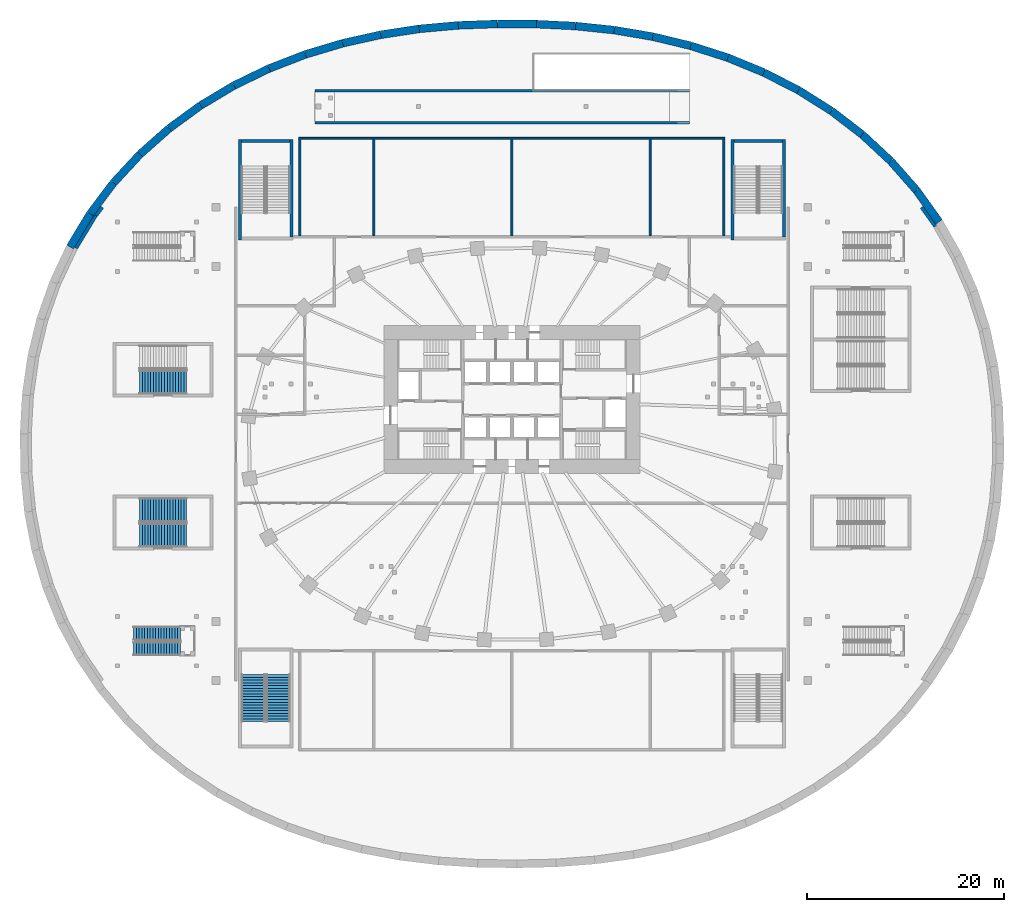
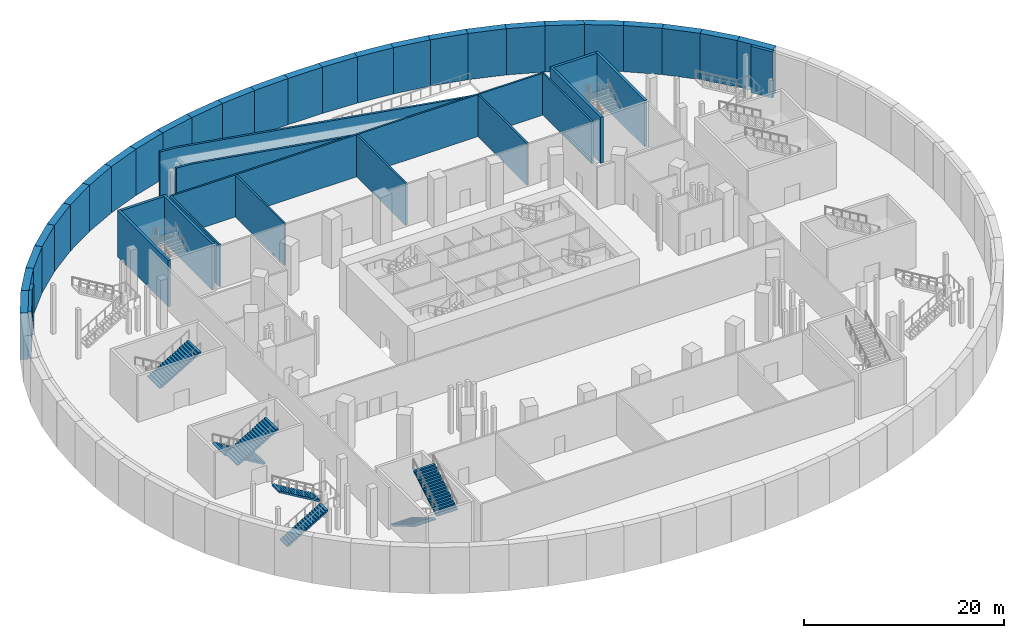
# One storey, part 9 of 19: 43 walls, 7 stair flights, 4 elements without a shape of their own.
"""IFC4 building model written with IfcOpenShell, lengths in metres."""

from ifc_helpers import new_model, si_unit, direction, frame, frame_2d, origin, place, context, subcontext, project, spatial, polyline, rectangle, outline, extrude, material, layer, layer_set, type_object, element, aggregate, save


model = new_model("IFC4")

# Units and contexts
model_context = context("Model", 3, precision=1e-05, world=origin(), true_north=direction((0.0, 1.0)))
body_context = subcontext(model_context, "Body", "Model", "MODEL_VIEW")
ifc_project = project(units=[si_unit("LENGTHUNIT", "METRE"), si_unit("AREAUNIT", "SQUARE_METRE"), si_unit("VOLUMEUNIT", "CUBIC_METRE"), si_unit("PLANEANGLEUNIT", "RADIAN"), si_unit("MASSUNIT", "GRAM", prefix="KILO")], contexts=[model_context])

# Site, building, storey
site_placement = place(None, origin())
site = spatial("IfcSite", under=ifc_project, at=site_placement, CompositionType="ELEMENT")
building_placement = place(site_placement, origin())
building = spatial("IfcBuilding", under=site, at=building_placement, Name="Rubra Terraces Tower", CompositionType="ELEMENT")
storey_placement = place(building_placement, frame((0.0, 0.0, -6.0)))
storey = spatial("IfcBuildingStorey", under=building, at=storey_placement, Name="B1", CompositionType="ELEMENT", Elevation=-6.0)

# Walls
ifc_material_1 = material(Name="Concrete C40", Category="concrete")
ifc_layer_1 = layer(ifc_material_1, 0.800048828125)
ifc_layer_set_1 = layer_set([ifc_layer_1], Name="Concrete C40")
wall_type_1 = type_object("IfcWallType", Name="BASEMENT WALL 800", PredefinedType="SOLIDWALL", material=ifc_layer_set_1)
wall_1_placement = place(storey_placement, frame((-44.81591796875, 19.964111328125, 0.0), z_axis=(0.0, 0.0, 1.0), x_axis=(0.517025826806, 0.855969797607, 0.0)))
element("IfcWall", 1, at=wall_1_placement, inside=storey, type_object=wall_type_1, Name="wall-B1-basement-044", PredefinedType="SOLIDWALL", context=body_context, shape_type="SweptSolid", body=[
    extrude(rectangle(XDim=3.94140625, YDim=0.800048828125, at=frame_2d((1.970703125, 0.0))), origin(), (0.0, 0.0, 1.0), 5.64990234375),
])
wall_2_placement = place(storey_placement, frame((-42.778076171875, 23.337890625, 0.0), z_axis=(0.0, 0.0, 1.0), x_axis=(0.601930372291, 0.798548575175, 0.0)))
element("IfcWall", 2, at=wall_2_placement, inside=storey, type_object=wall_type_1, Name="wall-B1-basement-045", PredefinedType="SOLIDWALL", context=body_context, shape_type="SweptSolid", body=[
    extrude(rectangle(XDim=3.9423828125, YDim=0.800048828125, at=frame_2d((1.97119140625, 0.0))), origin(), (0.0, 0.0, 1.0), 5.64990234375),
])
wall_3_placement = place(storey_placement, frame((-40.405029296875, 26.486083984375, 0.0), z_axis=(0.0, 0.0, 1.0), x_axis=(0.679341363133, 0.733822398361, 0.0)))
element("IfcWall", 3, at=wall_3_placement, inside=storey, type_object=wall_type_1, Name="wall-B1-basement-046", PredefinedType="SOLIDWALL", context=body_context, shape_type="SweptSolid", body=[
    extrude(rectangle(XDim=3.943359375, YDim=0.800048828125, at=frame_2d((1.9716796875, 0.0))), origin(), (0.0, 0.0, 1.0), 5.64990234375),
])
wall_4_placement = place(storey_placement, frame((-37.72607421875, 29.3798828125, 0.0), z_axis=(0.0, 0.0, 1.0), x_axis=(0.748282708278, 0.663379972936, 0.0)))
element("IfcWall", 4, at=wall_4_placement, inside=storey, type_object=wall_type_1, Name="wall-B1-basement-047", PredefinedType="SOLIDWALL", context=body_context, shape_type="SweptSolid", body=[
    extrude(rectangle(XDim=3.9453125, YDim=0.800048828125, at=frame_2d((1.97265625, 0.0))), origin(), (0.0, 0.0, 1.0), 5.64990234375),
])
wall_5_placement = place(storey_placement, frame((-34.77392578125, 31.9970703125, 0.0), z_axis=(0.0, 0.0, 1.0), x_axis=(0.807844288367, 0.589395966861, 0.0)))
element("IfcWall", 5, at=wall_5_placement, inside=storey, type_object=wall_type_1, Name="wall-B1-basement-048", PredefinedType="SOLIDWALL", context=body_context, shape_type="SweptSolid", body=[
    extrude(rectangle(XDim=3.9462890625, YDim=0.800048828125, at=frame_2d((1.97314453125, 0.0))), origin(), (0.0, 0.0, 1.0), 5.64990234375),
])
wall_6_placement = place(storey_placement, frame((-31.5859375, 34.322998046875, 0.0), z_axis=(0.0, 0.0, 1.0), x_axis=(0.858234183213, 0.513258304135, 0.0)))
element("IfcWall", 6, at=wall_6_placement, inside=storey, type_object=wall_type_1, Name="wall-B1-basement-049", PredefinedType="SOLIDWALL", context=body_context, shape_type="SweptSolid", body=[
    extrude(rectangle(XDim=3.947509765625, YDim=0.800048828125, at=frame_2d((1.9736328125, 0.0))), origin(), (0.0, 0.0, 1.0), 5.64990234375),
])
wall_7_placement = place(storey_placement, frame((-28.197998046875, 36.34912109375, 0.0), z_axis=(0.0, 0.0, 1.0), x_axis=(0.899739832589, 0.436426664691, 0.0)))
element("IfcWall", 7, at=wall_7_placement, inside=storey, type_object=wall_type_1, Name="wall-B1-basement-050", PredefinedType="SOLIDWALL", context=body_context, shape_type="SweptSolid", body=[
    extrude(rectangle(XDim=3.949951171875, YDim=0.800048828125, at=frame_2d((1.97509765625, 0.0))), origin(), (0.0, 0.0, 1.0), 5.64990234375),
])
wall_8_placement = place(storey_placement, frame((-24.64404296875, 38.072998046875, 0.0), z_axis=(0.0, 0.0, 1.0), x_axis=(0.932555353047, 0.361027026001, 0.0)))
element("IfcWall", 8, at=wall_8_placement, inside=storey, type_object=wall_type_1, Name="wall-B1-basement-051", PredefinedType="SOLIDWALL", context=body_context, shape_type="SweptSolid", body=[
    extrude(rectangle(XDim=3.95263671875, YDim=0.800048828125, at=frame_2d((1.976318359375, 0.0))), origin(), (0.0, 0.0, 1.0), 5.64990234375),
])
wall_9_placement = place(storey_placement, frame((-20.9580078125, 39.5, 0.0), z_axis=(0.0, 0.0, 1.0), x_axis=(0.95767487473, 0.287852104928, 0.0)))
element("IfcWall", 9, at=wall_9_placement, inside=storey, type_object=wall_type_1, Name="wall-B1-basement-052", PredefinedType="SOLIDWALL", context=body_context, shape_type="SweptSolid", body=[
    extrude(rectangle(XDim=3.953125, YDim=0.800048828125, at=frame_2d((1.9765625, 0.0))), origin(), (0.0, 0.0, 1.0), 5.64990234375),
])
wall_10_placement = place(storey_placement, frame((-17.172119140625, 40.637939453125, 0.0), z_axis=(0.0, 0.0, 1.0), x_axis=(0.976139122894, 0.217146063181, 0.0)))
element("IfcWall", 10, at=wall_10_placement, inside=storey, type_object=wall_type_1, Name="wall-B1-basement-053", PredefinedType="SOLIDWALL", context=body_context, shape_type="SweptSolid", body=[
    extrude(rectangle(XDim=3.95654296875, YDim=0.800048828125, at=frame_2d((1.978271484375, 0.0))), origin(), (0.0, 0.0, 1.0), 5.64990234375),
])
wall_11_placement = place(storey_placement, frame((-13.31005859375, 41.4970703125, 0.0), z_axis=(0.0, 0.0, 1.0), x_axis=(0.988527324847, 0.151042139915, 0.0)))
element("IfcWall", 11, at=wall_11_placement, inside=storey, type_object=wall_type_1, Name="wall-B1-basement-054", PredefinedType="SOLIDWALL", context=body_context, shape_type="SweptSolid", body=[
    extrude(rectangle(XDim=3.95849609375, YDim=0.800048828125, at=frame_2d((1.979248046875, 0.0))), origin(), (0.0, 0.0, 1.0), 5.64990234375),
])
wall_12_placement = place(storey_placement, frame((-9.39697265625, 42.094970703125, 0.0), z_axis=(0.0, 0.0, 1.0), x_axis=(0.995978123884, 0.089596745167, 0.0)))
element("IfcWall", 12, at=wall_12_placement, inside=storey, type_object=wall_type_1, Name="wall-B1-basement-055", PredefinedType="SOLIDWALL", context=body_context, shape_type="SweptSolid", body=[
    extrude(rectangle(XDim=3.9619140625, YDim=0.800048828125, at=frame_2d((1.98095703125, 0.0))), origin(), (0.0, 0.0, 1.0), 5.64990234375),
])
wall_13_placement = place(storey_placement, frame((-5.450927734375, 42.449951171875, 0.0), z_axis=(0.0, 0.0, 1.0), x_axis=(0.999357824978, 0.035832075785, 0.0)))
element("IfcWall", 13, at=wall_13_placement, inside=storey, type_object=wall_type_1, Name="wall-B1-basement-056", PredefinedType="SOLIDWALL", context=body_context, shape_type="SweptSolid", body=[
    extrude(rectangle(XDim=3.96533203125, YDim=0.800048828125, at=frame_2d((1.982666015625, 0.0))), origin(), (0.0, 0.0, 1.0), 5.64990234375),
])
wall_14_placement = place(storey_placement, frame((-1.488037109375, 42.592041015625, 0.0), z_axis=(0.0, 0.0, 1.0), x_axis=(0.999989630128, -0.004554079182, 0.0)))
element("IfcWall", 14, at=wall_14_placement, inside=storey, type_object=wall_type_1, Name="wall-B1-basement-057", PredefinedType="SOLIDWALL", context=body_context, shape_type="SweptSolid", body=[
    extrude(rectangle(XDim=3.967041015625, YDim=0.800048828125, at=frame_2d((1.9833984375, 0.0))), origin(), (0.0, 0.0, 1.0), 5.64990234375),
])
wall_15_placement = place(storey_placement, frame((2.47900390625, 42.573974609375, 0.0), z_axis=(0.0, 0.0, 1.0), x_axis=(0.998839819641, -0.048156149134, 0.0)))
element("IfcWall", 15, at=wall_15_placement, inside=storey, type_object=wall_type_1, Name="wall-B1-basement-058", PredefinedType="SOLIDWALL", context=body_context, shape_type="SweptSolid", body=[
    extrude(rectangle(XDim=3.964599609375, YDim=0.800048828125, at=frame_2d((1.982421875, 0.0))), origin(), (0.0, 0.0, 1.0), 5.64990234375),
])
wall_16_placement = place(storey_placement, frame((6.43896484375, 42.383056640625, 0.0), z_axis=(0.0, 0.0, 1.0), x_axis=(0.994522998166, -0.104517970312, 0.0)))
element("IfcWall", 16, at=wall_16_placement, inside=storey, type_object=wall_type_1, Name="wall-B1-basement-059", PredefinedType="SOLIDWALL", context=body_context, shape_type="SweptSolid", body=[
    extrude(rectangle(XDim=3.961669921875, YDim=0.800048828125, at=frame_2d((1.98095703125, 0.0))), origin(), (0.0, 0.0, 1.0), 5.64990234375),
])
wall_17_placement = place(storey_placement, frame((10.37890625, 41.968994140625, 0.0), z_axis=(0.0, 0.0, 1.0), x_axis=(0.985907879515, -0.167289130279, 0.0)))
element("IfcWall", 17, at=wall_17_placement, inside=storey, type_object=wall_type_1, Name="wall-B1-basement-060", PredefinedType="SOLIDWALL", context=body_context, shape_type="SweptSolid", body=[
    extrude(rectangle(XDim=3.957763671875, YDim=0.800048828125, at=frame_2d((1.97900390625, 0.0))), origin(), (0.0, 0.0, 1.0), 5.64990234375),
])
wall_18_placement = place(storey_placement, frame((14.281005859375, 41.306884765625, 0.0), z_axis=(0.0, 0.0, 1.0), x_axis=(0.97214528797, -0.234379049998, 0.0)))
element("IfcWall", 18, at=wall_18_placement, inside=storey, type_object=wall_type_1, Name="wall-B1-basement-061", PredefinedType="SOLIDWALL", context=body_context, shape_type="SweptSolid", body=[
    extrude(rectangle(XDim=3.955078125, YDim=0.800048828125, at=frame_2d((1.9775390625, 0.0))), origin(), (0.0, 0.0, 1.0), 5.64990234375),
])
wall_19_placement = place(storey_placement, frame((18.1259765625, 40.3798828125, 0.0), z_axis=(0.0, 0.0, 1.0), x_axis=(0.952119733855, -0.305725387242, 0.0)))
element("IfcWall", 19, at=wall_19_placement, inside=storey, type_object=wall_type_1, Name="wall-B1-basement-062", PredefinedType="SOLIDWALL", context=body_context, shape_type="SweptSolid", body=[
    extrude(rectangle(XDim=3.95458984375, YDim=0.800048828125, at=frame_2d((1.977294921875, 0.0))), origin(), (0.0, 0.0, 1.0), 5.64990234375),
])
wall_20_placement = place(storey_placement, frame((21.89111328125, 39.1708984375, 0.0), z_axis=(0.0, 0.0, 1.0), x_axis=(0.925028349338, -0.37989808228, 0.0)))
element("IfcWall", 20, at=wall_20_placement, inside=storey, type_object=wall_type_1, Name="wall-B1-basement-063", PredefinedType="SOLIDWALL", context=body_context, shape_type="SweptSolid", body=[
    extrude(rectangle(XDim=3.950927734375, YDim=0.800048828125, at=frame_2d((1.9755859375, 0.0))), origin(), (0.0, 0.0, 1.0), 5.64990234375),
])
wall_21_placement = place(storey_placement, frame((25.5458984375, 37.669921875, 0.0), z_axis=(0.0, 0.0, 1.0), x_axis=(0.890108207411, -0.455749250246, 0.0)))
element("IfcWall", 21, at=wall_21_placement, inside=storey, type_object=wall_type_1, Name="wall-B1-basement-064", PredefinedType="SOLIDWALL", context=body_context, shape_type="SweptSolid", body=[
    extrude(rectangle(XDim=3.94921875, YDim=0.800048828125, at=frame_2d((1.974609375, 0.0))), origin(), (0.0, 0.0, 1.0), 5.64990234375),
])
wall_22_placement = place(storey_placement, frame((29.06103515625, 35.8701171875, 0.0), z_axis=(0.0, 0.0, 1.0), x_axis=(0.846595147824, -0.532237405375, 0.0)))
element("IfcWall", 22, at=wall_22_placement, inside=storey, type_object=wall_type_1, Name="wall-B1-basement-065", PredefinedType="SOLIDWALL", context=body_context, shape_type="SweptSolid", body=[
    extrude(rectangle(XDim=3.947509765625, YDim=0.800048828125, at=frame_2d((1.9736328125, 0.0))), origin(), (0.0, 0.0, 1.0), 5.64990234375),
])
wall_23_placement = place(storey_placement, frame((32.403076171875, 33.76904296875, 0.0), z_axis=(0.0, 0.0, 1.0), x_axis=(0.793719876986, -0.608283451096, 0.0)))
element("IfcWall", 23, at=wall_23_placement, inside=storey, type_object=wall_type_1, Name="wall-B1-basement-066", PredefinedType="SOLIDWALL", context=body_context, shape_type="SweptSolid", body=[
    extrude(rectangle(XDim=3.94580078125, YDim=0.800048828125, at=frame_2d((1.972900390625, 0.0))), origin(), (0.0, 0.0, 1.0), 5.64990234375),
])
wall_24_placement = place(storey_placement, frame((35.534912109375, 31.368896484375, 0.0), z_axis=(0.0, 0.0, 1.0), x_axis=(0.732030218805, -0.68127216203, 0.0)))
element("IfcWall", 24, at=wall_24_placement, inside=storey, type_object=wall_type_1, Name="wall-B1-basement-067", PredefinedType="SOLIDWALL", context=body_context, shape_type="SweptSolid", body=[
    extrude(rectangle(XDim=3.944091796875, YDim=0.800048828125, at=frame_2d((1.97216796875, 0.0))), origin(), (0.0, 0.0, 1.0), 5.64990234375),
])
wall_25_placement = place(storey_placement, frame((38.422119140625, 28.681884765625, 0.0), z_axis=(0.0, 0.0, 1.0), x_axis=(0.660798136834, -0.750563669756, 0.0)))
element("IfcWall", 25, at=wall_25_placement, inside=storey, type_object=wall_type_1, Name="wall-B1-basement-068", PredefinedType="SOLIDWALL", context=body_context, shape_type="SweptSolid", body=[
    extrude(rectangle(XDim=3.943603515625, YDim=0.800048828125, at=frame_2d((1.9716796875, 0.0))), origin(), (0.0, 0.0, 1.0), 5.64990234375),
])
wall_26_placement = place(storey_placement, frame((41.028076171875, 25.721923828125, 0.0), z_axis=(0.0, 0.0, 1.0), x_axis=(0.581331910966, -0.813666522166, 0.0)))
element("IfcWall", 26, at=wall_26_placement, inside=storey, type_object=wall_type_1, Name="wall-B1-basement-069", PredefinedType="SOLIDWALL", context=body_context, shape_type="SweptSolid", body=[
    extrude(rectangle(XDim=3.942626953125, YDim=0.800048828125, at=frame_2d((1.97119140625, 0.0))), origin(), (0.0, 0.0, 1.0), 5.64990234375),
])
ifc_material_2 = material(Name="Concrete C40/50", Category="concrete")
ifc_layer_2 = layer(ifc_material_2, 0.25)
ifc_layer_set_2 = layer_set([ifc_layer_2], Name="Concrete C40/50")
wall_type_2 = type_object("IfcWallType", Name="Ramp wall 250 concrete", PredefinedType="SOLIDWALL", material=ifc_layer_set_2)
for number, where, z_axis, x_axis, name in (
    (27, (18.0, 35.824951171875, 0.0), (0.0, 0.0, 1.0), (-1.0, 0.0, 0.0), "Ramp wall"),
    (28, (18.0, 32.574951171875, 0.0), (0.0, 0.0, 1.0), (-1.0, 0.0, 0.0), "Ramp wall"),
):
    element("IfcWall", number, at=place(storey_placement, frame(where, z_axis=z_axis, x_axis=x_axis)), inside=storey, type_object=wall_type_2, Name=name, PredefinedType="SOLIDWALL", context=body_context, shape_type="SweptSolid", body=[
        extrude(outline(polyline([(0.0, 0.0), (38.0, 0.0), (38.0, 7.10009765625), (36.0, 6.93310546875), (2.0, 1.26708984375), (0.0, 1.10009765625), (0.0, 0.0)])), frame((0.0, 0.125, 0.0), z_axis=(0.0, -1.0, 0.0), x_axis=(1.0, 0.0, 0.0)), (0.0, 0.0, 1.0), 0.25),
    ])
ifc_layer_3 = layer(ifc_material_2, 0.35009765625)
ifc_layer_set_3 = layer_set([ifc_layer_3], Name="Concrete C40/50")
wall_type_3 = type_object("IfcWallType", Name="Retaining liner wall 350 concrete", PredefinedType="SOLIDWALL", material=ifc_layer_set_3)
wall_27_placement = place(storey_placement, frame((41.552001953125, 24.0, 0.0), z_axis=(0.0, 0.0, 1.0), x_axis=(0.581170308651, -0.813781956265, 0.0)))
element("IfcWall", 29, at=wall_27_placement, inside=storey, type_object=wall_type_3, Name="Retaining liner wall", PredefinedType="SOLIDWALL", context=body_context, shape_type="SweptSolid", body=[
    extrude(rectangle(XDim=2.38134765625, YDim=0.35009765625, at=frame_2d((1.190673828125, 0.0))), origin(), (0.0, 0.0, 1.0), 5.64990234375),
])
wall_28_placement = place(storey_placement, frame((-44.218017578125, 19.842041015625, 0.0), z_axis=(0.0, 0.0, 1.0), x_axis=(0.517009094838, 0.855979903885, 0.0)))
element("IfcWall", 30, at=wall_28_placement, inside=storey, type_object=wall_type_3, Name="Retaining liner wall", PredefinedType="SOLIDWALL", context=body_context, shape_type="SweptSolid", body=[
    extrude(rectangle(XDim=3.882080078125, YDim=0.35009765625, at=frame_2d((1.94091796875, 0.0))), origin(), (0.0, 0.0, 1.0), 5.64990234375),
])
wall_29_placement = place(storey_placement, frame((-42.196044921875, 23.155029296875, 0.0), z_axis=(0.0, 0.0, 1.0), x_axis=(0.601954731545, 0.798530213061, 0.0)))
element("IfcWall", 31, at=wall_29_placement, inside=storey, type_object=wall_type_3, Name="Retaining liner wall", PredefinedType="SOLIDWALL", context=body_context, shape_type="SweptSolid", body=[
    extrude(rectangle(XDim=1.05810546875, YDim=0.35009765625, at=frame_2d((0.529052734375, 0.0))), origin(), (0.0, 0.0, 1.0), 5.64990234375),
])
ifc_material_3 = material(Name="Blockwork", Category="masonry")
ifc_layer_4 = layer(ifc_material_3, 0.199951171875)
ifc_layer_set_4 = layer_set([ifc_layer_4], Name="Blockwork")
wall_type_4 = type_object("IfcWallType", Name="Room partition 200 blockwork", PredefinedType="PARTITIONING", material=ifc_layer_set_4)
wall_30_placement = place(storey_placement, frame((-21.5, 21.10009765625, 0.0), z_axis=(0.0, 0.0, 1.0), x_axis=(0.0, 1.0, 0.0)))
element("IfcWall", 32, at=wall_30_placement, inside=storey, type_object=wall_type_4, Name="Partition wall", PredefinedType="PARTITIONING", context=body_context, shape_type="SweptSolid", body=[
    extrude(rectangle(XDim=10.0, YDim=0.199951171875, at=frame_2d((5.0, 0.0))), origin(), (0.0, 0.0, 1.0), 5.134033203125),
])
wall_31_placement = place(storey_placement, frame((-21.39990234375, 31.0, 0.0), z_axis=(0.0, 0.0, 1.0), x_axis=(1.0, 0.0, 0.0)))
element("IfcWall", 33, at=wall_31_placement, inside=storey, type_object=wall_type_4, Name="Partition wall", PredefinedType="PARTITIONING", context=body_context, shape_type="SweptSolid", body=[
    extrude(rectangle(XDim=43.0, YDim=0.199951171875, at=frame_2d((21.5, 0.0))), origin(), (0.0, 0.0, 1.0), 5.134033203125),
])
for number, where, z_axis, x_axis, name in (
    (34, (-14.0, 30.89990234375, 0.0), (0.0, 0.0, 1.0), (0.0, -1.0, 0.0), "Partition wall"),
    (35, (0.0, 30.89990234375, 0.0), (0.0, 0.0, 1.0), (0.0, -1.0, 0.0), "Partition wall"),
    (36, (14.0, 30.89990234375, 0.0), (0.0, 0.0, 1.0), (0.0, -1.0, 0.0), "Partition wall"),
    (37, (21.5, 30.89990234375, 0.0), (0.0, 0.0, 1.0), (0.0, -1.0, 0.0), "Partition wall"),
):
    element("IfcWall", number, at=place(storey_placement, frame(where, z_axis=z_axis, x_axis=x_axis)), inside=storey, type_object=wall_type_4, Name=name, PredefinedType="PARTITIONING", context=body_context, shape_type="SweptSolid", body=[
        extrude(rectangle(XDim=9.7998046875, YDim=0.199951171875, at=frame_2d((4.89990234375, 0.0))), origin(), (0.0, 0.0, 1.0), 5.134033203125),
    ])
ifc_layer_5 = layer(ifc_material_2, 0.300048828125)
ifc_layer_set_5 = layer_set([ifc_layer_5], Name="Concrete C40/50")
wall_type_5 = type_object("IfcWallType", Name="Stair shaft wall 300 concrete", PredefinedType="SOLIDWALL", material=ifc_layer_set_5)
wall_32_placement = place(storey_placement, frame((-27.60009765625, 30.860107421875, 0.0), z_axis=(0.0, 0.0, 1.0), x_axis=(0.0, -1.0, 0.0)))
element("IfcWall", 38, at=wall_32_placement, inside=storey, type_object=wall_type_5, Name="Stair shaft wall", PredefinedType="SOLIDWALL", context=body_context, shape_type="SweptSolid", body=[
    extrude(rectangle(XDim=10.16015625, YDim=0.300048828125, at=frame_2d((5.080078125, 0.0))), origin(), (0.0, 0.0, 1.0), 5.64990234375),
])
wall_33_placement = place(storey_placement, frame((-22.35009765625, 21.0, 0.0), z_axis=(0.0, 0.0, 1.0), x_axis=(0.0, 1.0, 0.0)))
element("IfcWall", 39, at=wall_33_placement, inside=storey, type_object=wall_type_5, Name="Stair shaft wall", PredefinedType="SOLIDWALL", context=body_context, shape_type="SweptSolid", body=[
    extrude(rectangle(XDim=9.860107421875, YDim=0.300048828125, at=frame_2d((4.93017578125, 0.0))), origin(), (0.0, 0.0, 1.0), 5.64990234375),
])
wall_34_placement = place(storey_placement, frame((22.35009765625, 30.860107421875, 0.0), z_axis=(0.0, 0.0, 1.0), x_axis=(0.0, -1.0, 0.0)))
element("IfcWall", 40, at=wall_34_placement, inside=storey, type_object=wall_type_5, Name="Stair shaft wall", PredefinedType="SOLIDWALL", context=body_context, shape_type="SweptSolid", body=[
    extrude(rectangle(XDim=10.16015625, YDim=0.300048828125, at=frame_2d((5.080078125, 0.0))), origin(), (0.0, 0.0, 1.0), 5.64990234375),
])
wall_35_placement = place(storey_placement, frame((27.60009765625, 21.0, 0.0), z_axis=(0.0, 0.0, 1.0), x_axis=(0.0, 1.0, 0.0)))
element("IfcWall", 41, at=wall_35_placement, inside=storey, type_object=wall_type_5, Name="Stair shaft wall", PredefinedType="SOLIDWALL", context=body_context, shape_type="SweptSolid", body=[
    extrude(rectangle(XDim=9.860107421875, YDim=0.300048828125, at=frame_2d((4.93017578125, 0.0))), origin(), (0.0, 0.0, 1.0), 5.64990234375),
])
for number, where, z_axis, x_axis, name in (
    (42, (-27.449951171875, 30.7099609375, 0.0), (0.0, 0.0, 1.0), (1.0, 0.0, 0.0), "Stair shaft wall"),
    (43, (22.5, 30.7099609375, 0.0), (0.0, 0.0, 1.0), (1.0, 0.0, 0.0), "Stair shaft wall"),
):
    element("IfcWall", number, at=place(storey_placement, frame(where, z_axis=z_axis, x_axis=x_axis)), inside=storey, type_object=wall_type_5, Name=name, PredefinedType="SOLIDWALL", context=body_context, shape_type="SweptSolid", body=[
        extrude(rectangle(XDim=4.949951171875, YDim=0.300048828125, at=frame_2d((2.47509765625, 0.0))), origin(), (0.0, 0.0, 1.0), 5.64990234375),
    ])

# Stair, stair flight
stair_type_1 = type_object("IfcStairType", Name="Exit stair", PredefinedType="HALF_TURN_STAIR", material=ifc_material_2)
stair_1_placement = place(storey_placement, origin())
stair_1 = element("IfcStair", 44, at=stair_1_placement, inside=storey, type_object=stair_type_1, Name="B1 exit stair SE3", PredefinedType="HALF_TURN_STAIR")
stair_flight_type_1 = type_object("IfcStairFlightType", Name="Exit stair flight 2400", PredefinedType="STRAIGHT", material=ifc_material_2)
stair_flight_1_placement = place(storey_placement, frame((-37.760009765625, 6.25, 3.0), z_axis=(0.0, 0.0, 1.0), x_axis=(1.0, 0.0, 0.0)))
stair_flight_1 = element("IfcStairFlight", 45, at=stair_flight_1_placement, type_object=stair_flight_type_1, Name="SE3 flight 2", NumberOfRisers=18, NumberOfTreads=17, PredefinedType="STRAIGHT", RiserHeight=0.166666667, TreadLength=0.28, context=body_context, shape_type="SweptSolid", body=[
    extrude(outline(polyline([(0.0, 0.0), (0.0, 0.166748046875), (0.280029296875, 0.166748046875), (0.280029296875, 0.333251953125), (0.56005859375, 0.333251953125), (0.56005859375, 0.5), (0.840087890625, 0.5), (0.840087890625, 0.666748046875), (1.1201171875, 0.666748046875), (1.1201171875, 0.833251953125), (1.39990234375, 0.833251953125), (1.39990234375, 1.0), (1.679931640625, 1.0), (1.679931640625, 1.166748046875), (1.9599609375, 1.166748046875), (1.9599609375, 1.333251953125), (2.239990234375, 1.333251953125), (2.239990234375, 1.5), (2.52001953125, 1.5), (2.52001953125, 1.666748046875), (2.800048828125, 1.666748046875), (2.800048828125, 1.833251953125), (3.080078125, 1.833251953125), (3.080078125, 2.0), (3.360107421875, 2.0), (3.360107421875, 2.166748046875), (3.639892578125, 2.166748046875), (3.639892578125, 2.333251953125), (3.919921875, 2.333251953125), (3.919921875, 2.5), (4.199951171875, 2.5), (4.199951171875, 2.666748046875), (4.47998046875, 2.666748046875), (4.47998046875, 2.833251953125), (4.760009765625, 2.833251953125), (4.760009765625, 3.0), (4.760009765625, 2.658935546875), (0.29296875, 0.0), (0.0, 0.0)])), frame((0.0, 1.199951171875, 0.0), z_axis=(0.0, -1.0, 0.0), x_axis=(1.0, 0.0, 0.0)), (0.0, 0.0, 1.0), 2.39990234375),
])
aggregate(stair_1, [stair_flight_1])

# Stair, stair flights
stair_2_placement = place(storey_placement, origin())
stair_2 = element("IfcStair", 46, at=stair_2_placement, inside=storey, type_object=stair_type_1, Name="B1 exit stair SE4", PredefinedType="HALF_TURN_STAIR")
stair_flight_2_placement = place(storey_placement, frame((-33.0, -6.699951171875, 0.0), z_axis=(0.0, 0.0, 1.0), x_axis=(-1.0, 0.0, 0.0)))
stair_flight_2 = element("IfcStairFlight", 47, at=stair_flight_2_placement, type_object=stair_flight_type_1, Name="SE4 flight 1", NumberOfRisers=18, NumberOfTreads=17, PredefinedType="STRAIGHT", RiserHeight=0.166666667, TreadLength=0.28, context=body_context, shape_type="SweptSolid", body=[
    extrude(outline(polyline([(0.0, 0.0), (0.0, 0.166748046875), (0.280029296875, 0.166748046875), (0.280029296875, 0.333251953125), (0.56005859375, 0.333251953125), (0.56005859375, 0.5), (0.840087890625, 0.5), (0.840087890625, 0.666748046875), (1.1201171875, 0.666748046875), (1.1201171875, 0.833251953125), (1.39990234375, 0.833251953125), (1.39990234375, 1.0), (1.679931640625, 1.0), (1.679931640625, 1.166748046875), (1.9599609375, 1.166748046875), (1.9599609375, 1.333251953125), (2.239990234375, 1.333251953125), (2.239990234375, 1.5), (2.52001953125, 1.5), (2.52001953125, 1.666748046875), (2.800048828125, 1.666748046875), (2.800048828125, 1.833251953125), (3.080078125, 1.833251953125), (3.080078125, 2.0), (3.360107421875, 2.0), (3.360107421875, 2.166748046875), (3.639892578125, 2.166748046875), (3.639892578125, 2.333251953125), (3.919921875, 2.333251953125), (3.919921875, 2.5), (4.199951171875, 2.5), (4.199951171875, 2.666748046875), (4.47998046875, 2.666748046875), (4.47998046875, 2.833251953125), (4.760009765625, 2.833251953125), (4.760009765625, 3.0), (4.760009765625, 2.658935546875), (0.29296875, 0.0), (0.0, 0.0)])), frame((0.0, 1.199951171875, 0.0), z_axis=(0.0, -1.0, 0.0), x_axis=(1.0, 0.0, 0.0)), (0.0, 0.0, 1.0), 2.39990234375),
])
stair_flight_3_placement = place(storey_placement, frame((-37.760009765625, -9.25, 3.0), z_axis=(0.0, 0.0, 1.0), x_axis=(1.0, 0.0, 0.0)))
stair_flight_3 = element("IfcStairFlight", 48, at=stair_flight_3_placement, type_object=stair_flight_type_1, Name="SE4 flight 2", NumberOfRisers=18, NumberOfTreads=17, PredefinedType="STRAIGHT", RiserHeight=0.166666667, TreadLength=0.28, context=body_context, shape_type="SweptSolid", body=[
    extrude(outline(polyline([(0.0, 0.0), (0.0, 0.166748046875), (0.280029296875, 0.166748046875), (0.280029296875, 0.333251953125), (0.56005859375, 0.333251953125), (0.56005859375, 0.5), (0.840087890625, 0.5), (0.840087890625, 0.666748046875), (1.1201171875, 0.666748046875), (1.1201171875, 0.833251953125), (1.39990234375, 0.833251953125), (1.39990234375, 1.0), (1.679931640625, 1.0), (1.679931640625, 1.166748046875), (1.9599609375, 1.166748046875), (1.9599609375, 1.333251953125), (2.239990234375, 1.333251953125), (2.239990234375, 1.5), (2.52001953125, 1.5), (2.52001953125, 1.666748046875), (2.800048828125, 1.666748046875), (2.800048828125, 1.833251953125), (3.080078125, 1.833251953125), (3.080078125, 2.0), (3.360107421875, 2.0), (3.360107421875, 2.166748046875), (3.639892578125, 2.166748046875), (3.639892578125, 2.333251953125), (3.919921875, 2.333251953125), (3.919921875, 2.5), (4.199951171875, 2.5), (4.199951171875, 2.666748046875), (4.47998046875, 2.666748046875), (4.47998046875, 2.833251953125), (4.760009765625, 2.833251953125), (4.760009765625, 3.0), (4.760009765625, 2.658935546875), (0.29296875, 0.0), (0.0, 0.0)])), frame((0.0, 1.199951171875, 0.0), z_axis=(0.0, -1.0, 0.0), x_axis=(1.0, 0.0, 0.0)), (0.0, 0.0, 1.0), 2.39990234375),
])
aggregate(stair_2, [stair_flight_2, stair_flight_3])

stair_3_placement = place(storey_placement, origin())
stair_3 = element("IfcStair", 49, at=stair_3_placement, inside=storey, type_object=stair_type_1, Name="B1 exit stair SE8", PredefinedType="HALF_TURN_STAIR")
stair_flight_4_placement = place(storey_placement, frame((-26.25, -23.39990234375, 0.0), z_axis=(0.0, 0.0, 1.0), x_axis=(0.0, -1.0, 0.0)))
stair_flight_4 = element("IfcStairFlight", 50, at=stair_flight_4_placement, type_object=stair_flight_type_1, Name="SE8 flight 1", NumberOfRisers=18, NumberOfTreads=17, PredefinedType="STRAIGHT", RiserHeight=0.166666667, TreadLength=0.28, context=body_context, shape_type="SweptSolid", body=[
    extrude(outline(polyline([(0.0, 0.0), (0.0, 0.166748046875), (0.280029296875, 0.166748046875), (0.280029296875, 0.333251953125), (0.56005859375, 0.333251953125), (0.56005859375, 0.5), (0.840087890625, 0.5), (0.840087890625, 0.666748046875), (1.1201171875, 0.666748046875), (1.1201171875, 0.833251953125), (1.39990234375, 0.833251953125), (1.39990234375, 1.0), (1.679931640625, 1.0), (1.679931640625, 1.166748046875), (1.9599609375, 1.166748046875), (1.9599609375, 1.333251953125), (2.239990234375, 1.333251953125), (2.239990234375, 1.5), (2.52001953125, 1.5), (2.52001953125, 1.666748046875), (2.800048828125, 1.666748046875), (2.800048828125, 1.833251953125), (3.080078125, 1.833251953125), (3.080078125, 2.0), (3.360107421875, 2.0), (3.360107421875, 2.166748046875), (3.639892578125, 2.166748046875), (3.639892578125, 2.333251953125), (3.919921875, 2.333251953125), (3.919921875, 2.5), (4.199951171875, 2.5), (4.199951171875, 2.666748046875), (4.47998046875, 2.666748046875), (4.47998046875, 2.833251953125), (4.760009765625, 2.833251953125), (4.760009765625, 3.0), (4.760009765625, 2.658935546875), (0.29296875, 0.0), (0.0, 0.0)])), frame((0.0, 1.199951171875, 0.0), z_axis=(0.0, -1.0, 0.0), x_axis=(1.0, 0.0, 0.0)), (0.0, 0.0, 1.0), 2.39990234375),
])
stair_flight_5_placement = place(storey_placement, frame((-23.699951171875, -28.159912109375, 3.0), z_axis=(0.0, 0.0, 1.0), x_axis=(0.0, 1.0, 0.0)))
stair_flight_5 = element("IfcStairFlight", 51, at=stair_flight_5_placement, type_object=stair_flight_type_1, Name="SE8 flight 2", NumberOfRisers=18, NumberOfTreads=17, PredefinedType="STRAIGHT", RiserHeight=0.166666667, TreadLength=0.28, context=body_context, shape_type="SweptSolid", body=[
    extrude(outline(polyline([(0.0, 0.0), (0.0, 0.166748046875), (0.280029296875, 0.166748046875), (0.280029296875, 0.333251953125), (0.56005859375, 0.333251953125), (0.56005859375, 0.5), (0.840087890625, 0.5), (0.840087890625, 0.666748046875), (1.1201171875, 0.666748046875), (1.1201171875, 0.833251953125), (1.39990234375, 0.833251953125), (1.39990234375, 1.0), (1.679931640625, 1.0), (1.679931640625, 1.166748046875), (1.9599609375, 1.166748046875), (1.9599609375, 1.333251953125), (2.239990234375, 1.333251953125), (2.239990234375, 1.5), (2.52001953125, 1.5), (2.52001953125, 1.666748046875), (2.800048828125, 1.666748046875), (2.800048828125, 1.833251953125), (3.080078125, 1.833251953125), (3.080078125, 2.0), (3.360107421875, 2.0), (3.360107421875, 2.166748046875), (3.639892578125, 2.166748046875), (3.639892578125, 2.333251953125), (3.919921875, 2.333251953125), (3.919921875, 2.5), (4.199951171875, 2.5), (4.199951171875, 2.666748046875), (4.47998046875, 2.666748046875), (4.47998046875, 2.833251953125), (4.760009765625, 2.833251953125), (4.760009765625, 3.0), (4.760009765625, 2.658935546875), (0.29296875, 0.0), (0.0, 0.0)])), frame((0.0, 1.199951171875, 0.0), z_axis=(0.0, -1.0, 0.0), x_axis=(1.0, 0.0, 0.0)), (0.0, 0.0, 1.0), 2.39990234375),
])
aggregate(stair_3, [stair_flight_4, stair_flight_5])

ifc_material_4 = material(Name="Concrete C35/45", Category="concrete")
stair_type_2 = type_object("IfcStairType", Name="Station stair", PredefinedType="HALF_TURN_STAIR", material=ifc_material_4)
stair_4_placement = place(storey_placement, origin())
stair_4 = element("IfcStair", 52, at=stair_4_placement, inside=storey, type_object=stair_type_2, Name="B1 SP3-S", PredefinedType="HALF_TURN_STAIR")
stair_flight_type_2 = type_object("IfcStairFlightType", Name="Station stair flight 1200", PredefinedType="STRAIGHT", material=ifc_material_4)
stair_flight_6_placement = place(storey_placement, frame((-38.3798828125, -20.77490234375, 0.0), z_axis=(0.0, 0.0, 1.0), x_axis=(1.0, 0.0, 0.0)))
stair_flight_6 = element("IfcStairFlight", 53, at=stair_flight_6_placement, type_object=stair_flight_type_2, Name="SP3-S flight 1", NumberOfRisers=18, NumberOfTreads=17, PredefinedType="STRAIGHT", RiserHeight=0.166666667, TreadLength=0.28, context=body_context, shape_type="SweptSolid", body=[
    extrude(outline(polyline([(0.0, 0.0), (0.0, 0.166748046875), (0.280029296875, 0.166748046875), (0.280029296875, 0.333251953125), (0.56005859375, 0.333251953125), (0.56005859375, 0.5), (0.840087890625, 0.5), (0.840087890625, 0.666748046875), (1.1201171875, 0.666748046875), (1.1201171875, 0.833251953125), (1.39990234375, 0.833251953125), (1.39990234375, 1.0), (1.679931640625, 1.0), (1.679931640625, 1.166748046875), (1.9599609375, 1.166748046875), (1.9599609375, 1.333251953125), (2.239990234375, 1.333251953125), (2.239990234375, 1.5), (2.52001953125, 1.5), (2.52001953125, 1.666748046875), (2.800048828125, 1.666748046875), (2.800048828125, 1.833251953125), (3.080078125, 1.833251953125), (3.080078125, 2.0), (3.360107421875, 2.0), (3.360107421875, 2.166748046875), (3.639892578125, 2.166748046875), (3.639892578125, 2.333251953125), (3.919921875, 2.333251953125), (3.919921875, 2.5), (4.199951171875, 2.5), (4.199951171875, 2.666748046875), (4.47998046875, 2.666748046875), (4.47998046875, 2.833251953125), (4.760009765625, 2.833251953125), (4.760009765625, 3.0), (4.760009765625, 2.658935546875), (0.29296875, 0.0), (0.0, 0.0)])), frame((0.0, 0.699951171875, 0.0), z_axis=(0.0, -1.0, 0.0), x_axis=(1.0, 0.0, 0.0)), (0.0, 0.0, 1.0), 1.39990234375),
])
stair_flight_7_placement = place(storey_placement, frame((-33.6201171875, -19.22509765625, 3.0), z_axis=(0.0, 0.0, 1.0), x_axis=(-1.0, 0.0, 0.0)))
stair_flight_7 = element("IfcStairFlight", 54, at=stair_flight_7_placement, type_object=stair_flight_type_2, Name="SP3-S flight 2", NumberOfRisers=18, NumberOfTreads=17, PredefinedType="STRAIGHT", RiserHeight=0.166666667, TreadLength=0.28, context=body_context, shape_type="SweptSolid", body=[
    extrude(outline(polyline([(0.0, 0.0), (0.0, 0.166748046875), (0.280029296875, 0.166748046875), (0.280029296875, 0.333251953125), (0.56005859375, 0.333251953125), (0.56005859375, 0.5), (0.840087890625, 0.5), (0.840087890625, 0.666748046875), (1.1201171875, 0.666748046875), (1.1201171875, 0.833251953125), (1.39990234375, 0.833251953125), (1.39990234375, 1.0), (1.679931640625, 1.0), (1.679931640625, 1.166748046875), (1.9599609375, 1.166748046875), (1.9599609375, 1.333251953125), (2.239990234375, 1.333251953125), (2.239990234375, 1.5), (2.52001953125, 1.5), (2.52001953125, 1.666748046875), (2.800048828125, 1.666748046875), (2.800048828125, 1.833251953125), (3.080078125, 1.833251953125), (3.080078125, 2.0), (3.360107421875, 2.0), (3.360107421875, 2.166748046875), (3.639892578125, 2.166748046875), (3.639892578125, 2.333251953125), (3.919921875, 2.333251953125), (3.919921875, 2.5), (4.199951171875, 2.5), (4.199951171875, 2.666748046875), (4.47998046875, 2.666748046875), (4.47998046875, 2.833251953125), (4.760009765625, 2.833251953125), (4.760009765625, 3.0), (4.760009765625, 2.658935546875), (0.29296875, 0.0), (0.0, 0.0)])), frame((0.0, 0.699951171875, 0.0), z_axis=(0.0, -1.0, 0.0), x_axis=(1.0, 0.0, 0.0)), (0.0, 0.0, 1.0), 1.39990234375),
])
aggregate(stair_4, [stair_flight_6, stair_flight_7])

save(model, "model.ifc")
